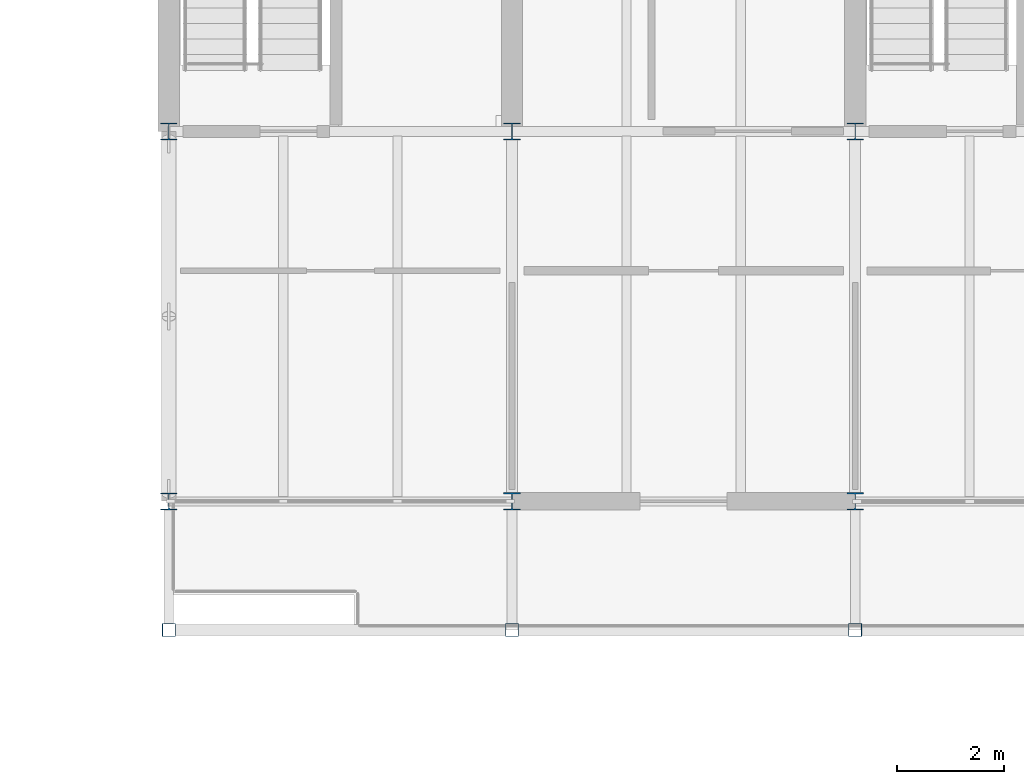
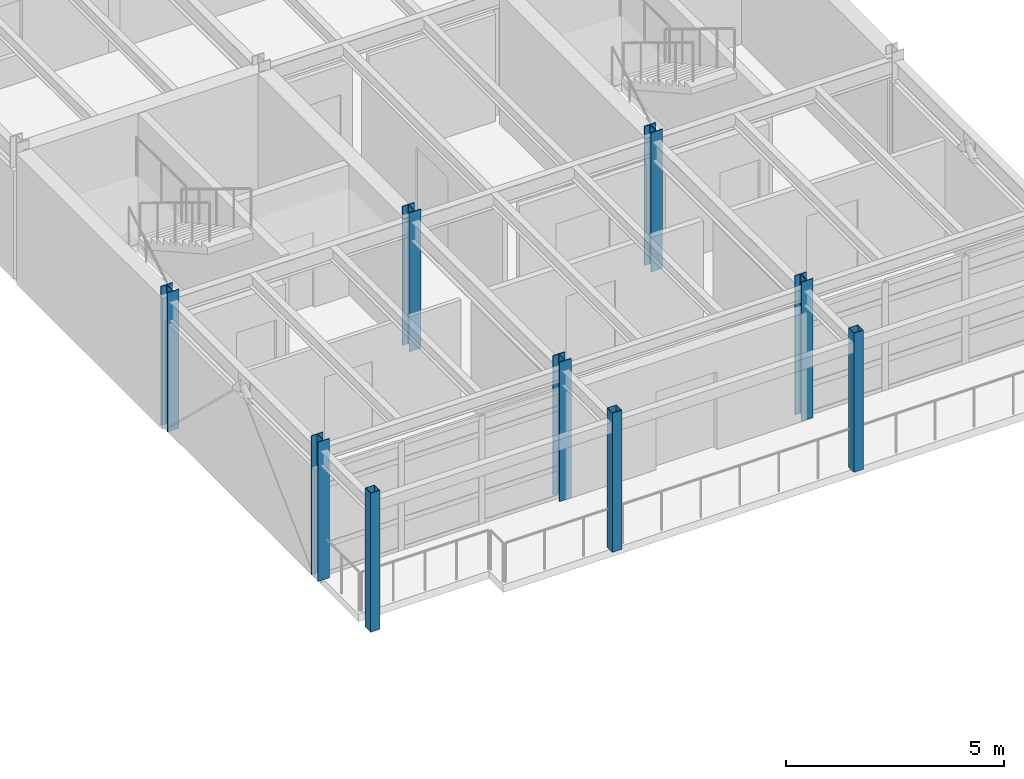
# One storey, part 2 of 57: 9 columns.
"""IFC4 building model written with IfcOpenShell, lengths in metres."""

from ifc_helpers import new_model, si_unit, direction, frame, origin, origin_2d, place, context, subcontext, project, spatial, hollow_rectangle, i_section, extrude, material, material_profile, profile_set, type_object, element, save


model = new_model("IFC4")

# Units and contexts
model_context = context("Model", 3, precision=1e-05, world=origin(), true_north=direction((0.0, 1.0)))
body_context = subcontext(model_context, "Body", "Model", "MODEL_VIEW")
ifc_project = project(units=[si_unit("LENGTHUNIT", "METRE"), si_unit("AREAUNIT", "SQUARE_METRE"), si_unit("VOLUMEUNIT", "CUBIC_METRE"), si_unit("PLANEANGLEUNIT", "RADIAN"), si_unit("MASSUNIT", "GRAM", prefix="KILO")], contexts=[model_context])

# Site, building, storey
site_placement = place(None, origin())
site = spatial("IfcSite", under=ifc_project, at=site_placement, CompositionType="ELEMENT")
building_placement = place(site_placement, origin())
building = spatial("IfcBuilding", under=site, at=building_placement, Name="Trelmorton Wharf Fire Station", CompositionType="ELEMENT")
storey_placement = place(building_placement, frame((0.0, 0.0, 13.5)))
storey = spatial("IfcBuildingStorey", under=building, at=storey_placement, Name="L03", CompositionType="ELEMENT", Elevation=13.5)

# Columns
ifc_material_1 = material(Name="Steel Grade 350", Category="steel")
ifc_material_profile_1 = material_profile(ifc_material_1, i_section(OverallWidth=0.30908203125, OverallDepth=0.321044921875, WebThickness=0.013916015625, FlangeThickness=0.021728515625, FilletRadius=0.0166015625, at=origin_2d()), Name="310UC137")
ifc_profile_set_1 = profile_set([ifc_material_profile_1], Name="Steel Grade 350")
column_type_1 = type_object("IfcColumnType", Name="COL_310UC137", PredefinedType="COLUMN", material=ifc_profile_set_1)
for number, where, z_axis, x_axis, name in (
    (1, (70.800048828125, 67.199951171875, 0.0), (0.0, 0.0, 1.0), (1.0, 0.0, 0.0), "COL-L03-0596"),
    (2, (77.199951171875, 60.300048828125, 0.0), (0.0, 0.0, 1.0), (1.0, 0.0, 0.0), "COL-L03-0603"),
    (3, (77.199951171875, 67.199951171875, 0.0), (0.0, 0.0, 1.0), (1.0, 0.0, 0.0), "COL-L03-0604"),
    (4, (83.60009765625, 60.300048828125, 0.0), (0.0, 0.0, 1.0), (1.0, 0.0, 0.0), "COL-L03-0611"),
    (5, (83.60009765625, 67.199951171875, 0.0), (0.0, 0.0, 1.0), (1.0, 0.0, 0.0), "COL-L03-0612"),
):
    element("IfcColumn", number, at=place(storey_placement, frame(where, z_axis=z_axis, x_axis=x_axis)), inside=storey, type_object=column_type_1, Name=name, PredefinedType="COLUMN", context=body_context, shape_type="SweptSolid", body=[
        extrude(i_section(OverallWidth=0.30908203125, OverallDepth=0.321044921875, WebThickness=0.013916015625, FlangeThickness=0.021728515625, FilletRadius=0.0166015625, at=origin_2d()), origin(), (0.0, 0.0, 1.0), 3.89990234375),
    ])
ifc_material_2 = material(Name="Signal-red architectural steel Grade 350", Category="steel")
ifc_material_profile_2 = material_profile(ifc_material_2, hollow_rectangle(XDim=0.25, YDim=0.25, WallThickness=0.012451171875, at=origin_2d()), Name="250x250x12.5SHS")
ifc_profile_set_2 = profile_set([ifc_material_profile_2], Name="Signal-red architectural steel Grade 350")
column_type_2 = type_object("IfcColumnType", Name="COL_RED_250SHS", PredefinedType="COLUMN", material=ifc_profile_set_2)
for number, where, z_axis, x_axis, name in (
    (6, (70.800048828125, 57.89990234375, 0.0), (0.0, 0.0, 1.0), (1.0, 0.0, 0.0), "COL-L03-0594"),
    (7, (77.199951171875, 57.89990234375, 0.0), (0.0, 0.0, 1.0), (1.0, 0.0, 0.0), "COL-L03-0602"),
    (8, (83.60009765625, 57.89990234375, 0.0), (0.0, 0.0, 1.0), (1.0, 0.0, 0.0), "COL-L03-0610"),
):
    element("IfcColumn", number, at=place(storey_placement, frame(where, z_axis=z_axis, x_axis=x_axis)), inside=storey, type_object=column_type_2, Name=name, PredefinedType="COLUMN", context=body_context, shape_type="SweptSolid", body=[
        extrude(hollow_rectangle(XDim=0.25, YDim=0.25, WallThickness=0.012451171875, at=origin_2d()), origin(), (0.0, 0.0, 1.0), 3.89990234375),
    ])
ifc_material_profile_3 = material_profile(ifc_material_2, i_section(OverallWidth=0.306884765625, OverallDepth=0.31494140625, WebThickness=0.011962890625, FlangeThickness=0.018798828125, FilletRadius=0.0166015625, at=origin_2d()), Name="310UC118")
ifc_profile_set_3 = profile_set([ifc_material_profile_3], Name="Signal-red architectural steel Grade 350")
column_type_3 = type_object("IfcColumnType", Name="COL_RED_310UC118", PredefinedType="COLUMN", material=ifc_profile_set_3)
column_placement = place(storey_placement, frame((70.800048828125, 60.300048828125, 0.0), z_axis=(0.0, 0.0, 1.0), x_axis=(1.0, 0.0, 0.0)))
element("IfcColumn", 9, at=column_placement, inside=storey, type_object=column_type_3, Name="COL-L03-0595", PredefinedType="COLUMN", context=body_context, shape_type="SweptSolid", body=[
    extrude(i_section(OverallWidth=0.306884765625, OverallDepth=0.31494140625, WebThickness=0.011962890625, FlangeThickness=0.018798828125, FilletRadius=0.0166015625, at=origin_2d()), origin(), (0.0, 0.0, 1.0), 3.89990234375),
])

save(model, "model.ifc")
